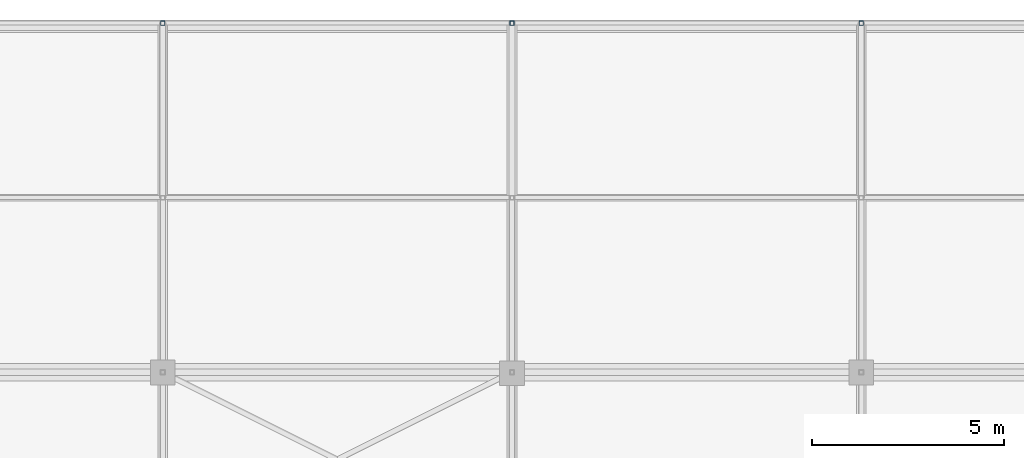
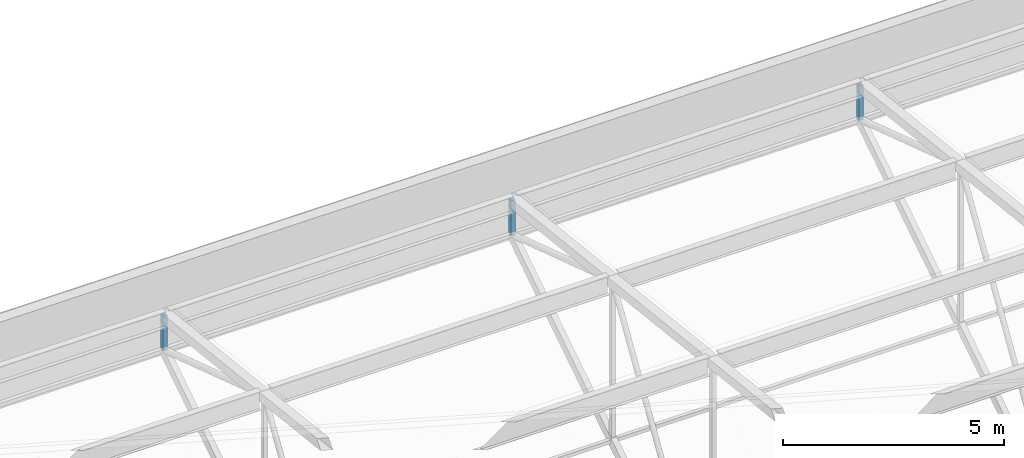
# One storey, part 414 of 500: 3 members.
"""IFC4 building model written with IfcOpenShell, lengths in metres."""

from ifc_helpers import new_model, si_unit, direction, frame, origin, origin_2d, place, context, subcontext, project, spatial, hollow_rectangle, extrude, material, material_profile, profile_set, type_object, element, save


model = new_model("IFC4")

# Units and contexts
model_context = context("Model", 3, precision=1e-05, world=origin(), true_north=direction((0.0, 1.0)))
body_context = subcontext(model_context, "Body", "Model", "MODEL_VIEW")
ifc_project = project(units=[si_unit("LENGTHUNIT", "METRE"), si_unit("AREAUNIT", "SQUARE_METRE"), si_unit("VOLUMEUNIT", "CUBIC_METRE"), si_unit("PLANEANGLEUNIT", "RADIAN"), si_unit("MASSUNIT", "GRAM", prefix="KILO")], contexts=[model_context])

# Site, building, storey
site_placement = place(None, origin())
site = spatial("IfcSite", under=ifc_project, at=site_placement, CompositionType="ELEMENT")
building_placement = place(site_placement, origin())
building = spatial("IfcBuilding", under=site, at=building_placement, Name="Shirokan Park Arena", CompositionType="ELEMENT")
storey_placement = place(building_placement, frame((0.0, 0.0, 29.1201171875)))
storey = spatial("IfcBuildingStorey", under=building, at=storey_placement, Name="L06", CompositionType="ELEMENT", Elevation=29.1201171875)

# Members
ifc_material = material(Name="Steel ASTM A500 Grade C", Category="steel")
ifc_material_profile = material_profile(ifc_material, hollow_rectangle(XDim=0.114013671875, YDim=0.114013671875, WallThickness=0.00634765625, at=origin_2d()), Name="HSS114.3X114.3X6.4")
ifc_profile_set = profile_set([ifc_material_profile], Name="Steel ASTM A500 Grade C")
member_type = type_object("IfcMemberType", Name="Truss post HSS114.3X114.3X6.4", PredefinedType="POST", material=ifc_profile_set)
for number, where, z_axis, x_axis, name in (
    (1, (45.5, 118.300048828125, 10.531982421875), (0.0, 0.0, 1.0), (1.0, 0.0, 0.0), "Truss T06 post 29"),
    (2, (54.60009765625, 118.300048828125, 10.531982421875), (0.0, 0.0, 1.0), (1.0, 0.0, 0.0), "Truss T07 post 29"),
    (3, (63.699951171875, 118.300048828125, 10.531982421875), (0.0, 0.0, 1.0), (1.0, 0.0, 0.0), "Truss T08 post 29"),
):
    element("IfcMember", number, at=place(storey_placement, frame(where, z_axis=z_axis, x_axis=x_axis)), inside=storey, type_object=member_type, Name=name, PredefinedType="POST", context=body_context, shape_type="SweptSolid", body=[
        extrude(hollow_rectangle(XDim=0.114013671875, YDim=0.114013671875, WallThickness=0.00634765625, at=origin_2d()), origin(), (0.0, 0.0, 1.0), 0.969482421875),
    ])

save(model, "model.ifc")
